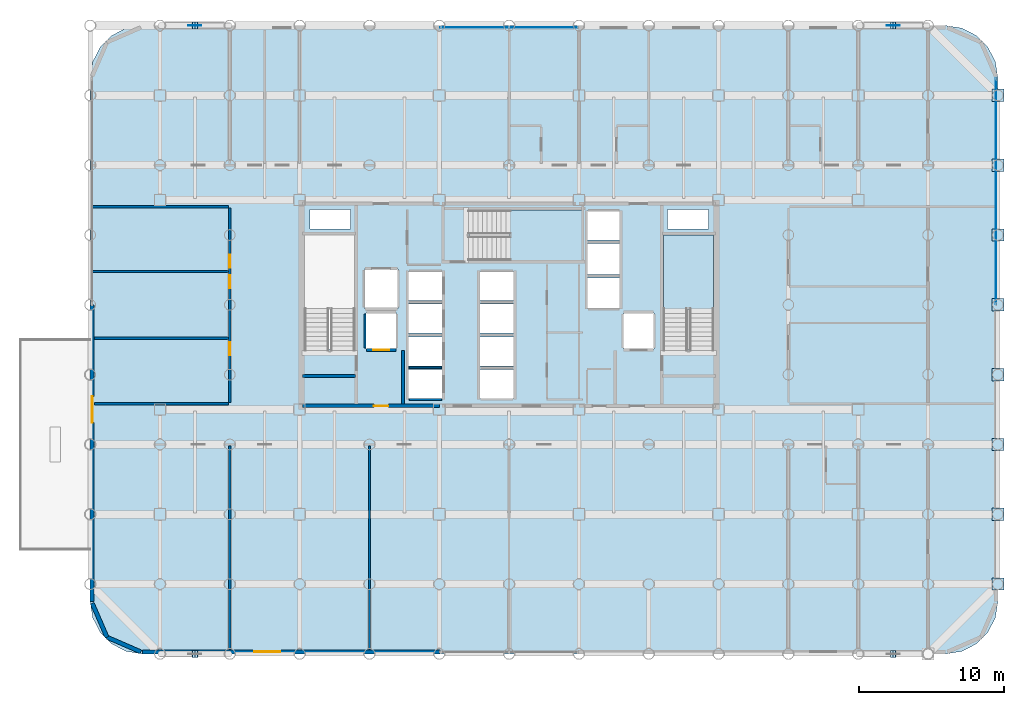
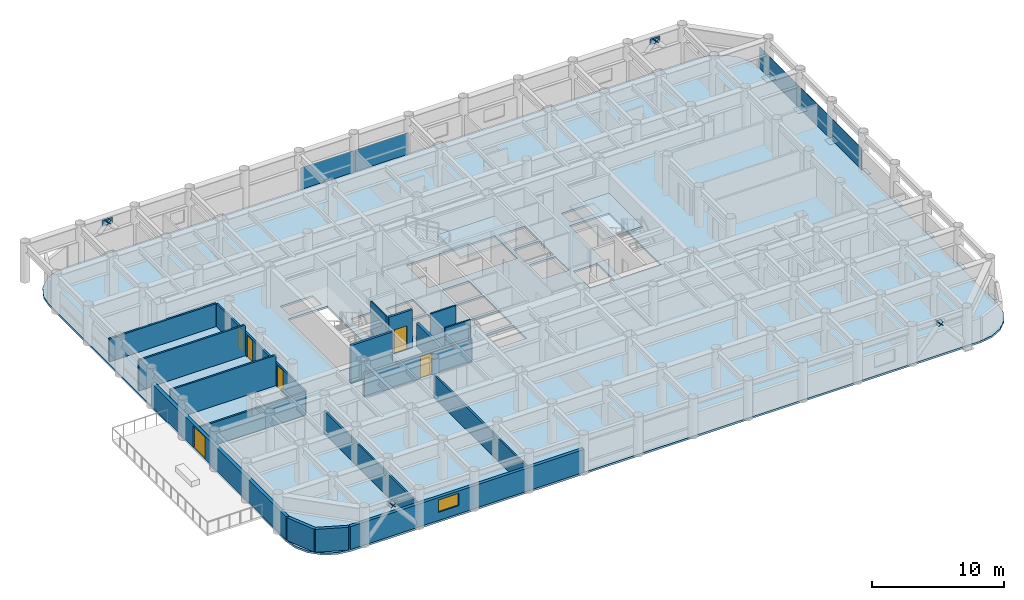
# One storey, part 16 of 22: 21 plates, 18 walls, 6 doors, 3 slabs, 1 window, 7 openings, 4 elements without a shape of their own.
"""IFC4 building model written with IfcOpenShell, lengths in metres."""

from ifc_helpers import new_model, si_unit, direction, frame, frame_2d, origin, origin_2d, place, context, subcontext, project, spatial, polyline, rectangle, outline, extrude, material, layer, layer_set, type_object, element, fill, aggregate, save


model = new_model("IFC4")

# Units and contexts
model_context = context("Model", 3, precision=1e-05, world=origin(), true_north=direction((0.0, 1.0)))
body_context = subcontext(model_context, "Body", "Model", "MODEL_VIEW")
ifc_project = project(units=[si_unit("LENGTHUNIT", "METRE"), si_unit("AREAUNIT", "SQUARE_METRE"), si_unit("VOLUMEUNIT", "CUBIC_METRE"), si_unit("PLANEANGLEUNIT", "RADIAN"), si_unit("MASSUNIT", "GRAM", prefix="KILO")], contexts=[model_context])

# Site, building, storey
site_placement = place(None, origin())
site = spatial("IfcSite", under=ifc_project, at=site_placement, CompositionType="ELEMENT")
building_placement = place(site_placement, origin())
building = spatial("IfcBuilding", under=site, at=building_placement, Name="Kallvorn Hotel Tower", CompositionType="ELEMENT")
storey_placement = place(building_placement, frame((0.0, 0.0, 59.60009765625)))
storey = spatial("IfcBuildingStorey", under=building, at=storey_placement, Name="L13", CompositionType="ELEMENT", Elevation=59.60009765625)

# Curtain wall, plates
ifc_material_1 = material(Name="Thermally broken black-anodised aluminium AA 6063-T6", Category="aluminium")
ifc_layer_1 = layer(ifc_material_1, 0.199951171875)
ifc_layer_set_1 = layer_set([ifc_layer_1], Name="CW_SYS_3_HOTEL_LOW")
curtain_wall_type = type_object("IfcCurtainWallType", Name="CW_SYS_3_HOTEL_LOW", PredefinedType="USERDEFINED", material=ifc_layer_set_1)
curtain_wall_1_placement = place(storey_placement, origin())
curtain_wall_1 = element("IfcCurtainWall", 1, at=curtain_wall_1_placement, inside=storey, type_object=curtain_wall_type, Name="L13 Dark-Glass Curtain Wall CW-L13-NC", ObjectType="UNITISED CURTAIN WALL", PredefinedType="USERDEFINED")
ifc_material_2 = material(Name="Double-glazed low-e solar-control dark glass", Category="glass")
ifc_layer_2 = layer(ifc_material_2, 0.035888671875)
ifc_layer_set_2 = layer_set([ifc_layer_2], Name="CW_SYS_3_HOTEL_LOW_PANEL")
plate_type_1 = type_object("IfcPlateType", Name="CW_SYS_3_HOTEL_LOW_PANEL", PredefinedType="CURTAIN_PANEL", material=ifc_layer_set_2)
plate_1_placement = place(storey_placement, frame((-2.375, 19.080078125, 0.059814453125), z_axis=(0.0, 0.0, 1.0), x_axis=(1.0, 0.0, 0.0)))
plate_1 = element("IfcPlate", 2, at=plate_1_placement, type_object=plate_type_1, Name="CW-L13-NC Vision Glass Panel 00", PredefinedType="CURTAIN_PANEL", context=body_context, shape_type="SweptSolid", body=[
    extrude(rectangle(XDim=4.68994140625, YDim=0.035888671875, at=origin_2d()), origin(), (0.0, 0.0, 1.0), 2.0),
])
plate_2_placement = place(storey_placement, frame((2.375, 19.080078125, 0.059814453125), z_axis=(0.0, 0.0, 1.0), x_axis=(1.0, 0.0, 0.0)))
plate_2 = element("IfcPlate", 3, at=plate_2_placement, type_object=plate_type_1, Name="CW-L13-NC Vision Glass Panel 01", PredefinedType="CURTAIN_PANEL", context=body_context, shape_type="SweptSolid", body=[
    extrude(rectangle(XDim=4.68994140625, YDim=0.035888671875, at=origin_2d()), origin(), (0.0, 0.0, 1.0), 2.0),
])
aggregate(curtain_wall_1, [plate_1, plate_2])

# Curtain wall, plate
curtain_wall_2_placement = place(storey_placement, origin())
curtain_wall_2 = element("IfcCurtainWall", 4, at=curtain_wall_2_placement, inside=storey, type_object=curtain_wall_type, Name="L13 Dark-Glass Curtain Wall CW-L13-EN", ObjectType="UNITISED CURTAIN WALL", PredefinedType="USERDEFINED")
plate_3_placement = place(storey_placement, frame((33.47998046875, 7.81005859375, 0.059814453125), z_axis=(0.0, 0.0, 1.0), x_axis=(0.0, 1.0, 0.0)))
plate_3 = element("IfcPlate", 5, at=plate_3_placement, type_object=plate_type_1, Name="CW-L13-EN Vision Glass Panel 00", PredefinedType="CURTAIN_PANEL", context=body_context, shape_type="SweptSolid", body=[
    extrude(rectangle(XDim=15.52001953125, YDim=0.035888671875, at=origin_2d()), origin(), (0.0, 0.0, 1.0), 2.0),
])
aggregate(curtain_wall_2, [plate_3])

# Plates
ifc_material_3 = material(Name="Structural steel S355JR", Category="steel")
ifc_layer_3 = layer(ifc_material_3, 0.030029296875)
ifc_layer_set_3 = layer_set([ifc_layer_3], Name="PLT_CAP_30")
plate_type_2 = type_object("IfcPlateType", Name="PLT_CAP_30", PredefinedType="SHEET", material=ifc_layer_set_3)
for number, where, z_axis, x_axis, name in (
    (6, (33.60009765625, -19.199951171875, -0.2099609375), (0.0, 0.0, 1.0), (1.0, 0.0, 0.0), "L13 Hollow Column Base End Cap Plate 0147"),
    (7, (33.60009765625, -14.39990234375, -0.2099609375), (0.0, 0.0, 1.0), (1.0, 0.0, 0.0), "L13 Hollow Column Base End Cap Plate 0148"),
    (8, (33.60009765625, -9.60009765625, -0.2099609375), (0.0, 0.0, 1.0), (1.0, 0.0, 0.0), "L13 Hollow Column Base End Cap Plate 0149"),
    (9, (33.60009765625, -4.800048828125, -0.2099609375), (0.0, 0.0, 1.0), (1.0, 0.0, 0.0), "L13 Hollow Column Base End Cap Plate 0150"),
    (10, (33.60009765625, 0.0, -0.2099609375), (0.0, 0.0, 1.0), (1.0, 0.0, 0.0), "L13 Hollow Column Base End Cap Plate 0151"),
    (11, (33.60009765625, 4.800048828125, -0.2099609375), (0.0, 0.0, 1.0), (1.0, 0.0, 0.0), "L13 Hollow Column Base End Cap Plate 0152"),
    (12, (33.60009765625, 9.60009765625, -0.2099609375), (0.0, 0.0, 1.0), (1.0, 0.0, 0.0), "L13 Hollow Column Base End Cap Plate 0153"),
    (13, (33.60009765625, 14.39990234375, -0.2099609375), (0.0, 0.0, 1.0), (1.0, 0.0, 0.0), "L13 Hollow Column Base End Cap Plate 0154"),
):
    element("IfcPlate", number, at=place(storey_placement, frame(where, z_axis=z_axis, x_axis=x_axis)), inside=storey, type_object=plate_type_2, Name=name, PredefinedType="SHEET", context=body_context, shape_type="SweptSolid", body=[
        extrude(rectangle(XDim=0.842041015625, YDim=0.842041015625, at=origin_2d()), origin(), (0.0, 0.0, 1.0), 0.030029296875),
    ])
for number, where, z_axis, x_axis, name in (
    (14, (-21.409423828125, -24.2431640625, 2.80859375), (0.653515319717, 0.0, 0.756913288888), (0.0, 1.0, 0.0), "EXO-L13-S1A End Cap Plate B"),
    (15, (-21.79052734375, -23.7568359375, 2.80859375), (-0.653515319717, 0.0, 0.756913288888), (0.0, -1.0, 0.0), "EXO-L13-S1B End Cap Plate B"),
    (16, (26.590576171875, -24.2431640625, 2.80859375), (0.653515319717, 0.0, 0.756913288888), (0.0, 1.0, 0.0), "EXO-L13-S2A End Cap Plate B"),
    (17, (26.20947265625, -23.7568359375, 2.80859375), (-0.653515319717, 0.0, 0.756913288888), (0.0, -1.0, 0.0), "EXO-L13-S2B End Cap Plate B"),
    (18, (-21.409423828125, 18.956787109375, 2.80859375), (0.653515319717, 0.0, 0.756913288888), (0.0, 1.0, 0.0), "EXO-L13-N1A End Cap Plate B"),
    (19, (-21.79052734375, 19.443115234375, 2.80859375), (-0.653515319717, 0.0, 0.756913288888), (0.0, -1.0, 0.0), "EXO-L13-N1B End Cap Plate B"),
    (20, (26.590576171875, 18.956787109375, 2.80859375), (0.653515319717, 0.0, 0.756913288888), (0.0, 1.0, 0.0), "EXO-L13-N2A End Cap Plate B"),
    (21, (26.20947265625, 19.443115234375, 2.80859375), (-0.653515319717, 0.0, 0.756913288888), (0.0, -1.0, 0.0), "EXO-L13-N2B End Cap Plate B"),
):
    element("IfcPlate", number, at=place(storey_placement, frame(where, z_axis=z_axis, x_axis=x_axis)), inside=storey, type_object=plate_type_2, Name=name, PredefinedType="SHEET", context=body_context, shape_type="SweptSolid", body=[
        extrude(outline(polyline([(0.0, 0.0), (0.486328125, 0.0), (0.486328125, 0.4864019008580509), (0.0, 0.4864019008580509), (0.0, 0.0)])), origin(), (0.0, 0.0, -1.0), 0.030029296875),
    ])
ifc_material_4 = material(Name="Structural steel S355JR", Category="steel")
ifc_layer_4 = layer(ifc_material_4, 0.044921875)
ifc_layer_set_4 = layer_set([ifc_layer_4], Name="PLT_GUSSET_45")
plate_type_3 = type_object("IfcPlateType", Name="PLT_GUSSET_45", PredefinedType="USERDEFINED", material=ifc_layer_set_4)
for number, where, z_axis, x_axis, name in (
    (22, (-21.60009765625, 19.199951171875, 2.639892578125), (0.0, 0.0, 1.0), (1.0, 0.0, 0.0), "L13 Exoskeleton Node Gusset N1"),
    (23, (26.39990234375, 19.199951171875, 2.639892578125), (0.0, 0.0, 1.0), (1.0, 0.0, 0.0), "L13 Exoskeleton Node Gusset N2"),
):
    element("IfcPlate", number, at=place(storey_placement, frame(where, z_axis=z_axis, x_axis=x_axis)), inside=storey, type_object=plate_type_3, Name=name, ObjectType="GUSSET PLATE", PredefinedType="USERDEFINED", context=body_context, shape_type="SweptSolid", body=[
        extrude(rectangle(XDim=0.89990234375, YDim=0.044921875, at=origin_2d()), origin(), (0.0, 0.0, 1.0), 0.56005859375),
    ])

# Stair, slab
ifc_material_5 = material(Name="Precast concrete C40/50", Category="concrete")
stair_type = type_object("IfcStairType", Name="STR_CORE_DOGLEG", PredefinedType="HALF_TURN_STAIR", material=ifc_material_5)
stair_1_placement = place(storey_placement, origin())
stair_1 = element("IfcStair", 24, at=stair_1_placement, inside=storey, type_object=stair_type, Name="L13 Exit stair ST2", PredefinedType="HALF_TURN_STAIR")
ifc_material_6 = material(Name="Precast concrete C40/50", Category="concrete")
ifc_layer_5 = layer(ifc_material_6, 0.179931640625)
ifc_layer_set_5 = layer_set([ifc_layer_5], Name="SLB_LANDING_180")
slab_type_1 = type_object("IfcSlabType", Name="SLB_LANDING_180", PredefinedType="LANDING", material=ifc_layer_set_5)
slab_1_placement = place(storey_placement, frame((0.0, 0.0, 1.64990234375)))
slab_1 = element("IfcSlab", 25, at=slab_1_placement, type_object=slab_type_1, Name="ST2 landing 1", PredefinedType="LANDING", context=body_context, shape_type="SweptSolid", body=[
    extrude(outline(polyline([(14.06005859375, -0.31005859375), (14.06005859375, 4.800048828125), (10.60009765625, 4.800048828125), (10.60009765625, -0.31005859375), (14.06005859375, -0.31005859375)])), origin(), (0.0, 0.0, 1.0), 0.199951171875),
])
aggregate(stair_1, [slab_1])

stair_2_placement = place(storey_placement, origin())
stair_2 = element("IfcStair", 26, at=stair_2_placement, inside=storey, type_object=stair_type, Name="L13 Exit stair ST3", PredefinedType="HALF_TURN_STAIR")
slab_2_placement = place(storey_placement, frame((0.0, 0.0, 1.64990234375)))
slab_2 = element("IfcSlab", 27, at=slab_2_placement, type_object=slab_type_1, Name="ST3 landing 1", PredefinedType="LANDING", context=body_context, shape_type="SweptSolid", body=[
    extrude(outline(polyline([(0.0400390625, 3.050048828125), (5.050048828125, 3.050048828125), (5.050048828125, 6.510009765625), (0.0400390625, 6.510009765625), (0.0400390625, 3.050048828125)])), origin(), (0.0, 0.0, 1.0), 0.199951171875),
])
aggregate(stair_2, [slab_2])

# Slab
ifc_material_7 = material(Name="Concrete C40/50", Category="concrete")
ifc_layer_6 = layer(ifc_material_7, 0.179931640625)
ifc_layer_set_6 = layer_set([ifc_layer_6], Name="SLB_TOWER_180")
slab_type_2 = type_object("IfcSlabType", Name="SLB_TOWER_180", PredefinedType="FLOOR", material=ifc_layer_set_6)
slab_3_placement = place(storey_placement, frame((0.0, 0.0, -0.18017578125)))
element("IfcSlab", 28, at=slab_3_placement, inside=storey, type_object=slab_type_2, Name="L13 Structural Floor Slab", PredefinedType="FLOOR", context=body_context, shape_type="SweptSolid", body=[
    extrude(outline(polyline([(30.0, -24.0), (31.112548828125, -23.82373046875), (32.115966796875, -23.3125), (32.91259765625, -22.51611328125), (33.423828125, -21.512451171875), (33.60009765625, -20.39990234375), (33.60009765625, 15.60009765625), (33.423828125, 16.71240234375), (32.91259765625, 17.716064453125), (32.115966796875, 18.512451171875), (31.112548828125, 19.023681640625), (30.0, 19.199951171875), (-25.199951171875, 19.199951171875), (-26.3125, 19.023681640625), (-27.31591796875, 18.512451171875), (-28.112548828125, 17.716064453125), (-28.623779296875, 16.71240234375), (-28.800048828125, 15.60009765625), (-28.800048828125, -20.39990234375), (-28.623779296875, -21.512451171875), (-28.112548828125, -22.51611328125), (-27.31591796875, -23.3125), (-26.3125, -23.82373046875), (-25.199951171875, -24.0), (30.0, -24.0)]), holes=[polyline([(-10.60009765625, -3.070068359375), (-10.60009765625, 4.800048828125), (-14.06005859375, 4.800048828125), (-14.06005859375, -3.070068359375), (-10.60009765625, -3.070068359375)]), polyline([(14.06005859375, -3.070068359375), (14.06005859375, 4.800048828125), (10.60009765625, 4.800048828125), (10.60009765625, -3.070068359375), (14.06005859375, -3.070068359375)]), polyline([(-2.719970703125, 3.050048828125), (5.050048828125, 3.050048828125), (5.050048828125, 6.510009765625), (-2.719970703125, 6.510009765625), (-2.719970703125, 3.050048828125)]), polyline([(-6.949951171875, -6.449951171875), (-4.550048828125, -6.449951171875), (-4.550048828125, -4.449951171875), (-6.949951171875, -4.449951171875), (-6.949951171875, -6.449951171875)]), polyline([(-6.949951171875, -4.199951171875), (-4.550048828125, -4.199951171875), (-4.550048828125, -2.199951171875), (-6.949951171875, -2.199951171875), (-6.949951171875, -4.199951171875)]), polyline([(-6.949951171875, -1.949951171875), (-4.550048828125, -1.949951171875), (-4.550048828125, 0.050048828125), (-6.949951171875, 0.050048828125), (-6.949951171875, -1.949951171875)]), polyline([(-6.949951171875, 0.300048828125), (-4.550048828125, 0.300048828125), (-4.550048828125, 2.300048828125), (-6.949951171875, 2.300048828125), (-6.949951171875, 0.300048828125)]), polyline([(-2.050048828125, -6.449951171875), (0.35009765625, -6.449951171875), (0.35009765625, -4.449951171875), (-2.050048828125, -4.449951171875), (-2.050048828125, -6.449951171875)]), polyline([(-2.050048828125, -4.199951171875), (0.35009765625, -4.199951171875), (0.35009765625, -2.199951171875), (-2.050048828125, -2.199951171875), (-2.050048828125, -4.199951171875)]), polyline([(-2.050048828125, -1.949951171875), (0.35009765625, -1.949951171875), (0.35009765625, 0.050048828125), (-2.050048828125, 0.050048828125), (-2.050048828125, -1.949951171875)]), polyline([(-2.050048828125, 0.300048828125), (0.35009765625, 0.300048828125), (0.35009765625, 2.300048828125), (-2.050048828125, 2.300048828125), (-2.050048828125, 0.300048828125)]), polyline([(5.35009765625, -0.25), (7.64990234375, -0.25), (7.64990234375, 1.85009765625), (5.35009765625, 1.85009765625), (5.35009765625, -0.25)]), polyline([(5.35009765625, 2.10009765625), (7.64990234375, 2.10009765625), (7.64990234375, 4.199951171875), (5.35009765625, 4.199951171875), (5.35009765625, 2.10009765625)]), polyline([(5.35009765625, 4.449951171875), (7.64990234375, 4.449951171875), (7.64990234375, 6.449951171875), (5.35009765625, 6.449951171875), (5.35009765625, 4.449951171875)]), polyline([(-9.85009765625, -3.050048828125), (-7.75, -3.050048828125), (-7.75, -0.550048828125), (-9.85009765625, -0.550048828125), (-9.85009765625, -3.050048828125)]), polyline([(7.85009765625, -3.050048828125), (9.949951171875, -3.050048828125), (9.949951171875, -0.550048828125), (7.85009765625, -0.550048828125), (7.85009765625, -3.050048828125)]), polyline([(-9.949951171875, -0.25), (-7.64990234375, -0.25), (-7.64990234375, 2.449951171875), (-9.949951171875, 2.449951171875), (-9.949951171875, -0.25)]), polyline([(-13.699951171875, 5.199951171875), (-10.89990234375, 5.199951171875), (-10.89990234375, 6.550048828125), (-13.699951171875, 6.550048828125), (-13.699951171875, 5.199951171875)]), polyline([(10.89990234375, 5.199951171875), (13.699951171875, 5.199951171875), (13.699951171875, 6.550048828125), (10.89990234375, 6.550048828125), (10.89990234375, 5.199951171875)])]), origin(), (0.0, 0.0, 1.0), 0.18017578125),
])

# Walls
ifc_material_8 = material(Name="Precast basalt-clad insulated concrete wall C40/50", Category="masonry")
ifc_layer_7 = layer(ifc_material_8, 0.280029296875)
ifc_layer_set_7 = layer_set([ifc_layer_7], Name="WL_EXT_LOGGIA_280")
wall_type_1 = type_object("IfcWallType", Name="WL_EXT_LOGGIA_280", PredefinedType="SOLIDWALL", material=ifc_layer_set_7)
wall_1_placement = place(storey_placement, frame((-28.657958984375, -20.520751953125, 0.0), z_axis=(0.0, 0.0, 1.0), x_axis=(0.398792985289, -0.917040977756, 0.0)))
element("IfcWall", 29, at=wall_1_placement, inside=storey, type_object=wall_type_1, Name="L13 Rounded Corner Exterior Wall SW1", PredefinedType="SOLIDWALL", context=body_context, shape_type="SweptSolid", body=[
    extrude(rectangle(XDim=2.536376953125, YDim=0.280029296875, at=frame_2d((1.26806640625, 0.0))), origin(), (0.0, 0.0, 1.0), 2.119873046875),
])
wall_2_placement = place(storey_placement, frame((-27.646484375, -22.8466796875, 0.0), z_axis=(0.0, 0.0, 1.0), x_axis=(0.917060872934, -0.398747232384, 0.0)))
element("IfcWall", 30, at=wall_2_placement, inside=storey, type_object=wall_type_1, Name="L13 Rounded Corner Exterior Wall SW2", PredefinedType="SOLIDWALL", context=body_context, shape_type="SweptSolid", body=[
    extrude(rectangle(XDim=2.5361328125, YDim=0.280029296875, at=frame_2d((1.26806640625, 0.0))), origin(), (0.0, 0.0, 1.0), 2.119873046875),
])

# Wall, opening, window
wall_3_placement = place(storey_placement, frame((-25.199951171875, -23.860107421875, 0.0), z_axis=(0.0, 0.0, 1.0), x_axis=(1.0, 0.0, 0.0)))
wall_3 = element("IfcWall", 31, at=wall_3_placement, inside=storey, type_object=wall_type_1, Name="L13 Exterior Envelope Wall EW-L13-SW", PredefinedType="SOLIDWALL", context=body_context, shape_type="SweptSolid", body=[
    extrude(rectangle(XDim=20.449951171875, YDim=0.280029296875, at=frame_2d((10.22509765625, 0.0))), origin(), (0.0, 0.0, 1.0), 2.119873046875),
])
opening_1_placement = place(wall_3_placement, frame((7.679931640625, 0.0, 0.75)))
opening_1 = element("IfcOpeningElement", 32, at=opening_1_placement, cuts=wall_3, Name="Opening W04A", PredefinedType="OPENING", context=body_context, shape_type="SweptSolid", body=[
    extrude(rectangle(XDim=1.800048828125, YDim=1.14990234375, at=frame_2d((0.89990234375, 0.574951171875))), frame((0.0, 0.155029296875, 0.0), z_axis=(0.0, -1.0, 0.0), x_axis=(1.0, 0.0, 0.0)), (0.0, 0.0, 1.0), 0.31005859375),
])
ifc_material_9 = material(Name="Double-glazed low-e solar-control dark glass", Category="glass")
window_type = type_object("IfcWindowType", Name="WN_HTL_1800x1150", PartitioningType="SINGLE_PANEL", PredefinedType="WINDOW", material=ifc_material_9)
window_placement = place(opening_1_placement, origin())
window = element("IfcWindow", 33, at=window_placement, inside=storey, type_object=window_type, Name="L13 Guestroom Exterior Window 01", OverallHeight=1.14990234375, OverallWidth=1.800048828125, PartitioningType="SINGLE_PANEL", PredefinedType="WINDOW", context=body_context, shape_type="SweptSolid", body=[
    extrude(rectangle(XDim=1.800048828125, YDim=1.14990234375, at=frame_2d((0.89990234375, 0.574951171875))), frame((0.0, 0.030029296875, 0.0), z_axis=(0.0, -1.0, 0.0), x_axis=(1.0, 0.0, 0.0)), (0.0, 0.0, 1.0), 0.06005859375),
])
fill(opening_1, window)

# Wall, opening, door
wall_4_placement = place(storey_placement, frame((-28.659912109375, -20.39990234375, 0.0), z_axis=(0.0, 0.0, 1.0), x_axis=(0.0, 1.0, 0.0)))
wall_4 = element("IfcWall", 34, at=wall_4_placement, inside=storey, type_object=wall_type_1, Name="L13 Exterior Envelope Wall EW-L13-WS", PredefinedType="SOLIDWALL", context=body_context, shape_type="SweptSolid", body=[
    extrude(rectangle(XDim=20.3798828125, YDim=0.280029296875, at=frame_2d((10.18994140625, 0.0))), origin(), (0.0, 0.0, 1.0), 2.119873046875),
])
opening_2_placement = place(wall_4_placement, frame((12.300048828125, 0.0, 0.0)))
opening_2 = element("IfcOpeningElement", 35, at=opening_2_placement, cuts=wall_4, Name="Opening TD2A", PredefinedType="OPENING", context=body_context, shape_type="SweptSolid", body=[
    extrude(rectangle(XDim=1.800048828125, YDim=2.02001953125, at=frame_2d((0.89990234375, 1.010009765625))), frame((0.0, 0.155029296875, 0.0), z_axis=(0.0, -1.0, 0.0), x_axis=(1.0, 0.0, 0.0)), (0.0, 0.0, 1.0), 0.31005859375),
])
ifc_material_10 = material(Name="Double-glazed low-e solar-control dark glass", Category="glass")
door_type_1 = type_object("IfcDoorType", Name="DR_TERR_TOW_1800x2020", OperationType="DOUBLE_DOOR_SINGLE_SWING", PredefinedType="DOOR", material=ifc_material_10)
door_1_placement = place(opening_2_placement, origin())
door_1 = element("IfcDoor", 36, at=door_1_placement, inside=storey, type_object=door_type_1, Name="L13 Step-Off Terrace Glazed Door 1", OperationType="DOUBLE_DOOR_SINGLE_SWING", OverallHeight=2.02001953125, OverallWidth=1.800048828125, PredefinedType="DOOR", context=body_context, shape_type="SweptSolid", body=[
    extrude(rectangle(XDim=1.800048828125, YDim=2.02001953125, at=frame_2d((0.89990234375, 1.010009765625))), frame((0.0, 0.02490234375, 0.0), z_axis=(0.0, -1.0, 0.0), x_axis=(1.0, 0.0, 0.0)), (0.0, 0.0, 1.0), 0.050048828125),
])
fill(opening_2, door_1)

# Walls
ifc_material_11 = material(Name="Concrete C40/50", Category="concrete")
ifc_layer_8 = layer(ifc_material_11, 0.219970703125)
ifc_layer_set_8 = layer_set([ifc_layer_8], Name="WL_FFL_220")
wall_type_2 = type_object("IfcWallType", Name="WL_FFL_220", PredefinedType="SOLIDWALL", material=ifc_layer_set_8)
wall_5_placement = place(storey_placement, frame((-7.300048828125, -6.820068359375, 0.0), z_axis=(0.0, 0.0, 1.0), x_axis=(0.0, 1.0, 0.0)))
element("IfcWall", 37, at=wall_5_placement, inside=storey, type_object=wall_type_2, Name="L13 Firefighting Lobby West Divider Wall", PredefinedType="SOLIDWALL", context=body_context, shape_type="SweptSolid", body=[
    extrude(rectangle(XDim=3.670166015625, YDim=0.219970703125, at=frame_2d((1.8349609375, 0.0))), origin(), (0.0, 0.0, 1.0), 2.119873046875),
])
ifc_material_12 = material(Name="Concrete C40/50", Category="concrete")
ifc_layer_9 = layer(ifc_material_12, 0.199951171875)
ifc_layer_set_9 = layer_set([ifc_layer_9], Name="WL_HOIST_200")
wall_type_3 = type_object("IfcWallType", Name="WL_HOIST_200", PredefinedType="SOLIDWALL", material=ifc_layer_set_9)
wall_6_placement = place(storey_placement, frame((-14.199951171875, -4.89990234375, -0.18017578125), z_axis=(0.0, 0.0, 1.0), x_axis=(1.0, 0.0, 0.0)))
element("IfcWall", 38, at=wall_6_placement, inside=storey, type_object=wall_type_3, Name="L13 Stair ST1 South Wall", PredefinedType="SOLIDWALL", context=body_context, shape_type="SweptSolid", body=[
    extrude(rectangle(XDim=3.64990234375, YDim=0.199951171875, at=frame_2d((1.824951171875, 0.0))), origin(), (0.0, 0.0, 1.0), 3.7001953125),
])

# Wall, opening, door
wall_7_placement = place(storey_placement, frame((-9.820068359375, -3.10009765625, 0.0), z_axis=(0.0, 0.0, 1.0), x_axis=(1.0, 0.0, 0.0)))
wall_7 = element("IfcWall", 39, at=wall_7_placement, inside=storey, type_object=wall_type_3, Name="L13 FL-1 Landing Wall", PredefinedType="SOLIDWALL", context=body_context, shape_type="SweptSolid", body=[
    extrude(rectangle(XDim=2.0400390625, YDim=0.199951171875, at=frame_2d((1.02001953125, 0.0))), origin(), (0.0, 0.0, 1.0), 3.52001953125),
])
opening_3_placement = place(wall_7_placement, frame((0.469970703125, 0.0, 0.0)))
opening_3 = element("IfcOpeningElement", 40, at=opening_3_placement, cuts=wall_7, Name="Opening LD-FL-1", PredefinedType="OPENING", context=body_context, shape_type="SweptSolid", body=[
    extrude(rectangle(XDim=1.10009765625, YDim=2.199951171875, at=frame_2d((0.550048828125, 1.10009765625))), frame((0.0, 0.114990234375, 0.0), z_axis=(0.0, -1.0, 0.0), x_axis=(1.0, 0.0, 0.0)), (0.0, 0.0, 1.0), 0.22998046875),
])
ifc_material_13 = material(Name="Brushed stainless-steel automatic sliding lift landing door", Category="steel")
door_type_2 = type_object("IfcDoorType", Name="LD_PASS_1100x2200", OperationType="SLIDING_TO_LEFT", PredefinedType="DOOR", material=ifc_material_13)
door_2_placement = place(opening_3_placement, origin())
door_2 = element("IfcDoor", 41, at=door_2_placement, inside=storey, type_object=door_type_2, Name="L13 Lift Landing Sliding Door LD-FL-1", OperationType="SLIDING_TO_LEFT", OverallHeight=2.199951171875, OverallWidth=1.10009765625, PredefinedType="DOOR", context=body_context, shape_type="SweptSolid", body=[
    extrude(rectangle(XDim=1.10009765625, YDim=2.199951171875, at=frame_2d((0.550048828125, 1.10009765625))), frame((0.0, 0.02490234375, 0.0), z_axis=(0.0, -1.0, 0.0), x_axis=(1.0, 0.0, 0.0)), (0.0, 0.0, 1.0), 0.050048828125),
])
fill(opening_3, door_2)

# Walls
ifc_material_14 = material(Name="Fire-rated double-layer acoustic gypsum drywall EI 60")
ifc_layer_10 = layer(ifc_material_14, 0.1201171875)
ifc_layer_set_10 = layer_set([ifc_layer_10], Name="WL_INT_120")
wall_type_4 = type_object("IfcWallType", Name="WL_INT_120", PredefinedType="PARTITIONING", material=ifc_layer_set_10)
for number, where, z_axis, x_axis, name in (
    (42, (-6.860107421875, -6.5, 0.0), (0.0, 0.0, 1.0), (1.0, 0.0, 0.0), "L13 Lift Bank B1 South Closure Wall"),
    (43, (-6.860107421875, -4.324951171875, 0.0), (0.0, 0.0, 1.0), (1.0, 0.0, 0.0), "L13 PL-01 Hoistway Divider"),
):
    element("IfcWall", number, at=place(storey_placement, frame(where, z_axis=z_axis, x_axis=x_axis)), inside=storey, type_object=wall_type_4, Name=name, PredefinedType="PARTITIONING", context=body_context, shape_type="SweptSolid", body=[
        extrude(rectangle(XDim=2.22021484375, YDim=0.1201171875, at=frame_2d((1.110107421875, 0.0))), origin(), (0.0, 0.0, 1.0), 3.52001953125),
    ])
wall_8_placement = place(storey_placement, frame((-9.89990234375, -2.9599609375, 0.0), z_axis=(0.0, 0.0, 1.0), x_axis=(0.0, 1.0, 0.0)))
element("IfcWall", 44, at=wall_8_placement, inside=storey, type_object=wall_type_4, Name="L13 FL-1 West Shaft Wall", PredefinedType="PARTITIONING", context=body_context, shape_type="SweptSolid", body=[
    extrude(rectangle(XDim=2.320068359375, YDim=0.1201171875, at=frame_2d((1.16015625, 0.0))), origin(), (0.0, 0.0, 1.0), 3.52001953125),
])
ifc_material_15 = material(Name="Fire-rated double-layer acoustic gypsum drywall EI 60")
ifc_layer_11 = layer(ifc_material_15, 0.14990234375)
ifc_layer_set_11 = layer_set([ifc_layer_11], Name="WL_PART_150")
wall_type_5 = type_object("IfcWallType", Name="WL_PART_150", PredefinedType="PARTITIONING", material=ifc_layer_set_11)
wall_9_placement = place(storey_placement, frame((-28.510009765625, -6.800048828125, 0.0), z_axis=(0.0, 0.0, 1.0), x_axis=(1.0, 0.0, 0.0)))
element("IfcWall", 45, at=wall_9_placement, inside=storey, type_object=wall_type_5, Name="L13 L13 W South Tasting Bar Partition", PredefinedType="PARTITIONING", context=body_context, shape_type="SweptSolid", body=[
    extrude(rectangle(XDim=9.22998046875, YDim=0.14990234375, at=frame_2d((4.614990234375, 0.0))), origin(), (0.0, 0.0, 1.0), 2.119873046875),
])
wall_10_placement = place(storey_placement, frame((-28.510009765625, -2.300048828125, 0.0), z_axis=(0.0, 0.0, 1.0), x_axis=(1.0, 0.0, 0.0)))
element("IfcWall", 46, at=wall_10_placement, inside=storey, type_object=wall_type_5, Name="L13 L13 W Central Reading Gallery Partition", PredefinedType="PARTITIONING", context=body_context, shape_type="SweptSolid", body=[
    extrude(rectangle(XDim=9.22998046875, YDim=0.14990234375, at=frame_2d((4.614990234375, 0.0))), origin(), (0.0, 0.0, 1.0), 2.81982421875),
])
wall_11_placement = place(storey_placement, frame((-28.6298828125, 2.300048828125, 0.0), z_axis=(0.0, 0.0, 1.0), x_axis=(1.0, 0.0, 0.0)))
element("IfcWall", 47, at=wall_11_placement, inside=storey, type_object=wall_type_5, Name="L13 L13 W Central Reading Gallery Partition", PredefinedType="PARTITIONING", context=body_context, shape_type="SweptSolid", body=[
    extrude(rectangle(XDim=9.349853515625, YDim=0.14990234375, at=frame_2d((4.6748046875, 0.0))), origin(), (0.0, 0.0, 1.0), 2.81982421875),
])
wall_12_placement = place(storey_placement, frame((-28.6298828125, 6.737548828125, 0.0), z_axis=(0.0, 0.0, 1.0), x_axis=(1.0, 0.0, 0.0)))
element("IfcWall", 48, at=wall_12_placement, inside=storey, type_object=wall_type_5, Name="L13 L13 W North Movement Gymnasium Partition", PredefinedType="PARTITIONING", context=body_context, shape_type="SweptSolid", body=[
    extrude(rectangle(XDim=9.349853515625, YDim=0.14990234375, at=frame_2d((4.6748046875, 0.0))), origin(), (0.0, 0.0, 1.0), 2.119873046875),
])
wall_13_placement = place(storey_placement, frame((-19.199951171875, -23.7099609375, 0.0), z_axis=(0.0, 0.0, 1.0), x_axis=(0.0, 1.0, 0.0)))
element("IfcWall", 49, at=wall_13_placement, inside=storey, type_object=wall_type_5, Name="L13 L13 Curated Emerald Craft Retail Boutique 1 Partition", PredefinedType="PARTITIONING", context=body_context, shape_type="SweptSolid", body=[
    extrude(rectangle(XDim=13.989990234375, YDim=0.14990234375, at=frame_2d((6.9951171875, 0.0))), origin(), (0.0, 0.0, 1.0), 2.119873046875),
])

# Wall, openings, doors
wall_14_placement = place(storey_placement, frame((-19.199951171875, -6.715087890625, 0.0), z_axis=(0.0, 0.0, 1.0), x_axis=(0.0, 1.0, 0.0)))
wall_14 = element("IfcWall", 50, at=wall_14_placement, inside=storey, type_object=wall_type_5, Name="L13 L13 W South Tasting Bar Partition", PredefinedType="PARTITIONING", context=body_context, shape_type="SweptSolid", body=[
    extrude(rectangle(XDim=13.36767578125, YDim=0.14990234375, at=frame_2d((6.683837890625, 0.0))), origin(), (0.0, 0.0, 1.0), 2.119873046875),
])
opening_4_placement = place(wall_14_placement, frame((3.2548828125, 0.0, 0.0)))
opening_4 = element("IfcOpeningElement", 51, at=opening_4_placement, cuts=wall_14, Name="Opening SVD1A", PredefinedType="OPENING", context=body_context, shape_type="SweptSolid", body=[
    extrude(rectangle(XDim=0.89990234375, YDim=2.02001953125, at=frame_2d((0.449951171875, 1.010009765625))), frame((0.0, 0.08984375, 0.0), z_axis=(0.0, -1.0, 0.0), x_axis=(1.0, 0.0, 0.0)), (0.0, 0.0, 1.0), 0.179931640625),
])
opening_5_placement = place(wall_14_placement, frame((7.85498046875, 0.0, 0.0)))
opening_5 = element("IfcOpeningElement", 52, at=opening_5_placement, cuts=wall_14, Name="Opening SVD1A", PredefinedType="OPENING", context=body_context, shape_type="SweptSolid", body=[
    extrude(rectangle(XDim=0.89990234375, YDim=2.02001953125, at=frame_2d((0.449951171875, 1.010009765625))), frame((0.0, 0.08984375, 0.0), z_axis=(0.0, -1.0, 0.0), x_axis=(1.0, 0.0, 0.0)), (0.0, 0.0, 1.0), 0.179931640625),
])
opening_6_placement = place(wall_14_placement, frame((9.27490234375, 0.0, 0.0)))
opening_6 = element("IfcOpeningElement", 53, at=opening_6_placement, cuts=wall_14, Name="Opening SVD1A", PredefinedType="OPENING", context=body_context, shape_type="SweptSolid", body=[
    extrude(rectangle(XDim=0.89990234375, YDim=2.02001953125, at=frame_2d((0.449951171875, 1.010009765625))), frame((0.0, 0.08984375, 0.0), z_axis=(0.0, -1.0, 0.0), x_axis=(1.0, 0.0, 0.0)), (0.0, 0.0, 1.0), 0.179931640625),
])
ifc_material_16 = material(Name="Galvanised painted steel fire-rated door assembly", Category="steel")
door_type_3 = type_object("IfcDoorType", Name="DR_SERV_900x2020", OperationType="NOTDEFINED", PredefinedType="DOOR", material=ifc_material_16)
door_3_placement = place(opening_4_placement, origin())
door_3 = element("IfcDoor", 54, at=door_3_placement, inside=storey, type_object=door_type_3, Name="L13 L13 W South Tasting Bar Door", OperationType="SINGLE_SWING_RIGHT", OverallHeight=2.02001953125, OverallWidth=0.89990234375, PredefinedType="DOOR", context=body_context, shape_type="SweptSolid", body=[
    extrude(rectangle(XDim=0.89990234375, YDim=2.02001953125, at=frame_2d((0.449951171875, 1.010009765625))), frame((0.0, 0.02490234375, 0.0), z_axis=(0.0, -1.0, 0.0), x_axis=(1.0, 0.0, 0.0)), (0.0, 0.0, 1.0), 0.050048828125),
])
fill(opening_4, door_3)
door_4_placement = place(opening_5_placement, origin())
door_4 = element("IfcDoor", 55, at=door_4_placement, inside=storey, type_object=door_type_3, Name="L13 L13 W Central Reading Gallery Door", OperationType="SINGLE_SWING_RIGHT", OverallHeight=2.02001953125, OverallWidth=0.89990234375, PredefinedType="DOOR", context=body_context, shape_type="SweptSolid", body=[
    extrude(rectangle(XDim=0.89990234375, YDim=2.02001953125, at=frame_2d((0.449951171875, 1.010009765625))), frame((0.0, 0.02490234375, 0.0), z_axis=(0.0, -1.0, 0.0), x_axis=(1.0, 0.0, 0.0)), (0.0, 0.0, 1.0), 0.050048828125),
])
fill(opening_5, door_4)
door_5_placement = place(opening_6_placement, origin())
door_5 = element("IfcDoor", 56, at=door_5_placement, inside=storey, type_object=door_type_3, Name="L13 L13 W North Movement Gymnasium Door", OperationType="SINGLE_SWING_RIGHT", OverallHeight=2.02001953125, OverallWidth=0.89990234375, PredefinedType="DOOR", context=body_context, shape_type="SweptSolid", body=[
    extrude(rectangle(XDim=0.89990234375, YDim=2.02001953125, at=frame_2d((0.449951171875, 1.010009765625))), frame((0.0, 0.02490234375, 0.0), z_axis=(0.0, -1.0, 0.0), x_axis=(1.0, 0.0, 0.0)), (0.0, 0.0, 1.0), 0.050048828125),
])
fill(opening_6, door_5)

# Wall
wall_15_placement = place(storey_placement, frame((-9.60009765625, -23.7099609375, 0.0), z_axis=(0.0, 0.0, 1.0), x_axis=(0.0, 1.0, 0.0)))
element("IfcWall", 57, at=wall_15_placement, inside=storey, type_object=wall_type_5, Name="L13 L13 Curated Emerald Craft Retail Boutique 1 Partition", PredefinedType="PARTITIONING", context=body_context, shape_type="SweptSolid", body=[
    extrude(rectangle(XDim=13.989990234375, YDim=0.14990234375, at=frame_2d((6.9951171875, 0.0))), origin(), (0.0, 0.0, 1.0), 2.119873046875),
])

# Wall, opening, door
ifc_material_17 = material(Name="Concrete C40/50", Category="concrete")
ifc_layer_12 = layer(ifc_material_17, 0.25)
ifc_layer_set_12 = layer_set([ifc_layer_12], Name="WL_SHAFT_250")
wall_type_6 = type_object("IfcWallType", Name="WL_SHAFT_250", PredefinedType="SOLIDWALL", material=ifc_layer_set_12)
wall_16_placement = place(storey_placement, frame((-14.199951171875, -6.949951171875, 0.0), z_axis=(0.0, 0.0, 1.0), x_axis=(1.0, 0.0, 0.0)))
wall_16 = element("IfcWall", 58, at=wall_16_placement, inside=storey, type_object=wall_type_6, Name="L13 Core South-West Wall", PredefinedType="SOLIDWALL", context=body_context, shape_type="SweptSolid", body=[
    extrude(rectangle(XDim=9.39990234375, YDim=0.25, at=frame_2d((4.699951171875, 0.0))), origin(), (0.0, 0.0, 1.0), 2.119873046875),
])
opening_7_placement = place(wall_16_placement, frame((4.89990234375, 0.0, 0.0)))
opening_7 = element("IfcOpeningElement", 59, at=opening_7_placement, cuts=wall_16, Name="Opening FD1A", PredefinedType="OPENING", context=body_context, shape_type="SweptSolid", body=[
    extrude(rectangle(XDim=1.0, YDim=2.02001953125, at=frame_2d((0.5, 1.010009765625))), frame((0.0, 0.139892578125, 0.0), z_axis=(0.0, -1.0, 0.0), x_axis=(1.0, 0.0, 0.0)), (0.0, 0.0, 1.0), 0.280029296875),
])
ifc_material_18 = material(Name="Galvanised painted steel fire-rated door assembly", Category="steel")
door_type_4 = type_object("IfcDoorType", Name="DR_FFL_1000x2020", OperationType="NOTDEFINED", PredefinedType="DOOR", material=ifc_material_18)
door_6_placement = place(opening_7_placement, origin())
door_6 = element("IfcDoor", 60, at=door_6_placement, inside=storey, type_object=door_type_4, Name="L13 Firefighting Lobby West Door", OperationType="SINGLE_SWING_LEFT", OverallHeight=2.02001953125, OverallWidth=1.0, PredefinedType="DOOR", context=body_context, shape_type="SweptSolid", body=[
    extrude(rectangle(XDim=1.0, YDim=2.02001953125, at=frame_2d((0.5, 1.010009765625))), frame((0.0, 0.02490234375, 0.0), z_axis=(0.0, -1.0, 0.0), x_axis=(1.0, 0.0, 0.0)), (0.0, 0.0, 1.0), 0.050048828125),
])
fill(opening_7, door_6)

save(model, "model.ifc")
